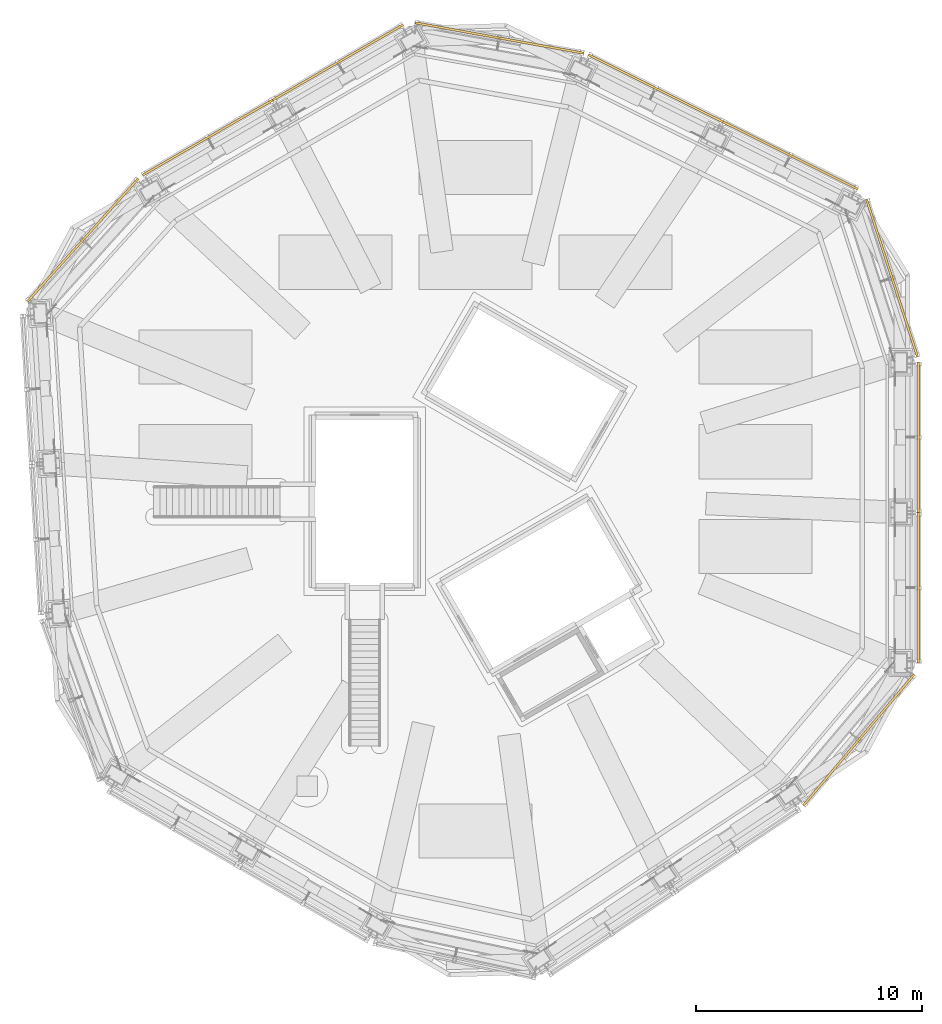
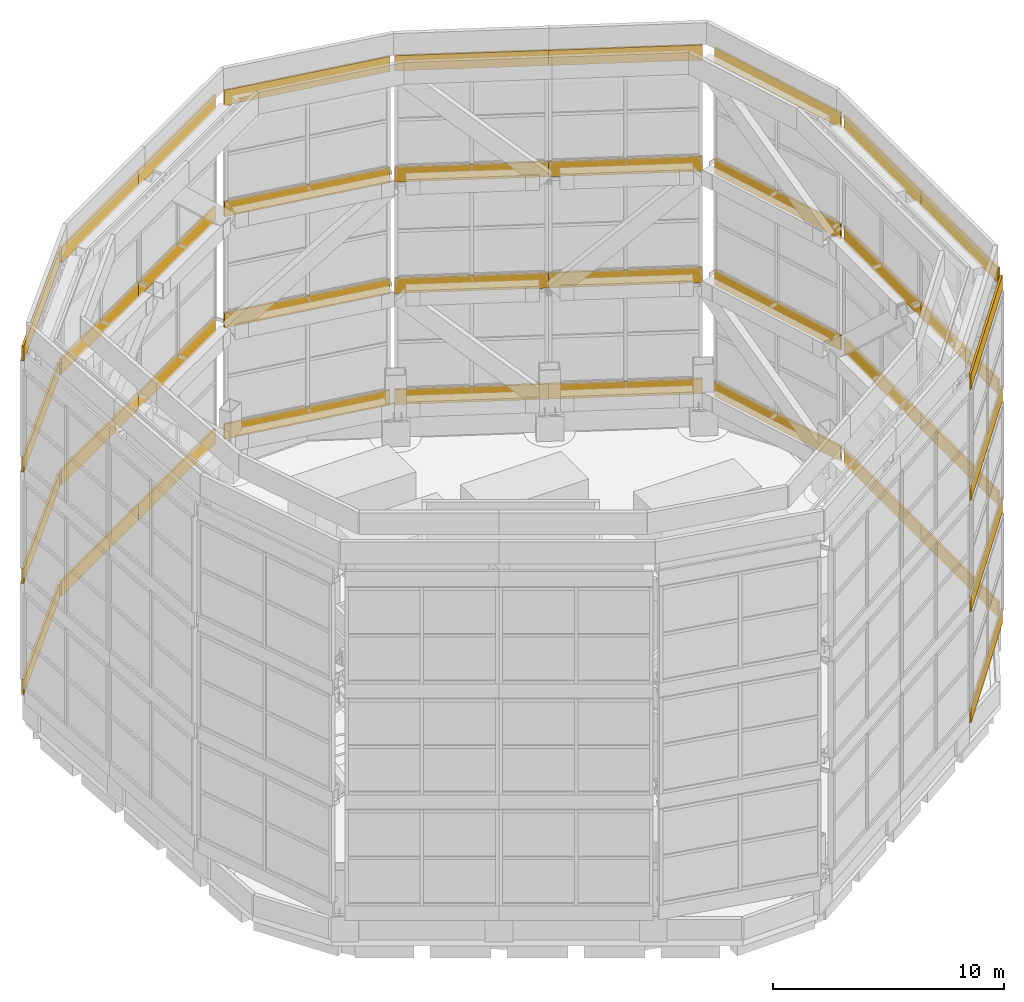
# One storey, part 45 of 46: 40 coverings.
"""IFC4 building model written with IfcOpenShell, lengths in metres."""

from ifc_helpers import new_model, si_unit, direction, frame, origin, origin_2d, place, context, subcontext, project, spatial, rectangle, extrude, material, layer, layer_set, type_object, element, save


model = new_model("IFC4")

# Units and contexts
model_context = context("Model", 3, precision=1e-05, world=origin(), true_north=direction((0.0, 1.0)))
body_context = subcontext(model_context, "Body", "Model", "MODEL_VIEW")
ifc_project = project(units=[si_unit("LENGTHUNIT", "METRE"), si_unit("AREAUNIT", "SQUARE_METRE"), si_unit("VOLUMEUNIT", "CUBIC_METRE"), si_unit("PLANEANGLEUNIT", "RADIAN"), si_unit("MASSUNIT", "GRAM", prefix="KILO")], contexts=[model_context])

# Site, building, storey
site_placement = place(None, origin())
site = spatial("IfcSite", under=ifc_project, at=site_placement, CompositionType="ELEMENT")
building_placement = place(site_placement, origin())
building = spatial("IfcBuilding", under=site, at=building_placement, Name="Vanh Sen Convention Tower", CompositionType="ELEMENT")
storey_placement = place(building_placement, frame((0.0, 0.0, 305.0)))
storey = spatial("IfcBuildingStorey", under=building, at=storey_placement, Name="Roof level", CompositionType="ELEMENT", Elevation=305.0)

# Coverings
ifc_material = material(Name="Concrete C50/60", Category="concrete")
ifc_layer = layer(ifc_material, 0.10009765625)
ifc_layer_set = layer_set([ifc_layer], Name="Concrete C50/60")
covering_type = type_object("IfcCoveringType", Name="Ring beam cladding 100", PredefinedType="CLADDING", material=ifc_layer_set)
for number, where, z_axis, x_axis, name in (
    (1, (19.574951171875, -4.215087890625, 1.34521484375), (0.0, 0.0, 1.0), (0.0, 1.0, 0.0), "Ring beam cladding 01 ring 1"),
    (2, (19.574951171875, -4.215087890625, 7.21337890625), (0.0, 0.0, 1.0), (0.0, 1.0, 0.0), "Ring beam cladding 01 ring 2"),
    (3, (19.574951171875, -4.215087890625, 13.08154296875), (0.0, 0.0, 1.0), (0.0, 1.0, 0.0), "Ring beam cladding 01 ring 3"),
    (4, (19.574951171875, -4.215087890625, 18.9501953125), (0.0, 0.0, 1.0), (0.0, 1.0, 0.0), "Ring beam cladding 01 ring 4"),
    (5, (19.574951171875, 2.4482421875, 1.34521484375), (0.0, 0.0, 1.0), (0.0, 1.0, 0.0), "Ring beam cladding 02 ring 1"),
    (6, (19.574951171875, 2.4482421875, 7.21337890625), (0.0, 0.0, 1.0), (0.0, 1.0, 0.0), "Ring beam cladding 02 ring 2"),
    (7, (19.574951171875, 2.4482421875, 13.08154296875), (0.0, 0.0, 1.0), (0.0, 1.0, 0.0), "Ring beam cladding 02 ring 3"),
    (8, (19.574951171875, 2.4482421875, 18.9501953125), (0.0, 0.0, 1.0), (0.0, 1.0, 0.0), "Ring beam cladding 02 ring 4"),
):
    element("IfcCovering", number, at=place(storey_placement, frame(where, z_axis=z_axis, x_axis=x_axis)), inside=storey, type_object=covering_type, Name=name, PredefinedType="CLADDING", context=body_context, shape_type="SweptSolid", body=[
        extrude(rectangle(XDim=6.663330078125, YDim=0.10009765625, at=origin_2d()), origin(), (0.0, 0.0, 1.0), 0.800048828125),
    ])
for number, where, z_axis, x_axis, name in (
    (9, (18.40869140625, 9.508056640625, 1.34521484375), (0.0, 0.0, 1.0), (-0.307733605607, 0.95147255766, 0.0), "Ring beam cladding 03 ring 1"),
    (10, (18.40869140625, 9.508056640625, 7.21337890625), (0.0, 0.0, 1.0), (-0.307733605607, 0.95147255766, 0.0), "Ring beam cladding 03 ring 2"),
    (11, (18.40869140625, 9.508056640625, 13.08154296875), (0.0, 0.0, 1.0), (-0.307733605607, 0.95147255766, 0.0), "Ring beam cladding 03 ring 3"),
    (12, (18.40869140625, 9.508056640625, 18.9501953125), (0.0, 0.0, 1.0), (-0.307733605607, 0.95147255766, 0.0), "Ring beam cladding 03 ring 4"),
):
    element("IfcCovering", number, at=place(storey_placement, frame(where, z_axis=z_axis, x_axis=x_axis)), inside=storey, type_object=covering_type, Name=name, PredefinedType="CLADDING", context=body_context, shape_type="SweptSolid", body=[
        extrude(rectangle(XDim=7.335205078125, YDim=0.10009765625, at=origin_2d()), origin(), (0.0, 0.0, 1.0), 0.800048828125),
    ])
for number, where, z_axis, x_axis, name in (
    (13, (13.906982421875, 14.939453125, 1.34521484375), (0.0, 0.0, 1.0), (-0.894931246532, 0.446204060919, 0.0), "Ring beam cladding 04 ring 1"),
    (14, (13.906982421875, 14.939453125, 7.21337890625), (0.0, 0.0, 1.0), (-0.894931246532, 0.446204060919, 0.0), "Ring beam cladding 04 ring 2"),
    (15, (13.906982421875, 14.939453125, 13.08154296875), (0.0, 0.0, 1.0), (-0.894931246532, 0.446204060919, 0.0), "Ring beam cladding 04 ring 3"),
    (16, (13.906982421875, 14.939453125, 18.9501953125), (0.0, 0.0, 1.0), (-0.894931246532, 0.446204060919, 0.0), "Ring beam cladding 04 ring 4"),
    (17, (7.943603515625, 17.91259765625, 1.34521484375), (0.0, 0.0, 1.0), (-0.894936697876, 0.446193127238, 0.0), "Ring beam cladding 05 ring 1"),
    (18, (7.943603515625, 17.91259765625, 7.21337890625), (0.0, 0.0, 1.0), (-0.894936697876, 0.446193127238, 0.0), "Ring beam cladding 05 ring 2"),
    (19, (7.943603515625, 17.91259765625, 13.08154296875), (0.0, 0.0, 1.0), (-0.894936697876, 0.446193127238, 0.0), "Ring beam cladding 05 ring 3"),
    (20, (7.943603515625, 17.91259765625, 18.9501953125), (0.0, 0.0, 1.0), (-0.894936697876, 0.446193127238, 0.0), "Ring beam cladding 05 ring 4"),
):
    element("IfcCovering", number, at=place(storey_placement, frame(where, z_axis=z_axis, x_axis=x_axis)), inside=storey, type_object=covering_type, Name=name, PredefinedType="CLADDING", context=body_context, shape_type="SweptSolid", body=[
        extrude(rectangle(XDim=6.663330078125, YDim=0.10009765625, at=origin_2d()), origin(), (0.0, 0.0, 1.0), 0.800048828125),
    ])
for number, where, z_axis, x_axis, name in (
    (21, (1.013671875, 20.142822265625, 1.34521484375), (0.0, 0.0, 1.0), (-0.984121654335, 0.177495266048, 0.0), "Ring beam cladding 06 ring 1"),
    (22, (1.013671875, 20.142822265625, 7.21337890625), (0.0, 0.0, 1.0), (-0.984121654335, 0.177495266048, 0.0), "Ring beam cladding 06 ring 2"),
    (23, (1.013671875, 20.142822265625, 13.08154296875), (0.0, 0.0, 1.0), (-0.984121654335, 0.177495266048, 0.0), "Ring beam cladding 06 ring 3"),
    (24, (1.013671875, 20.142822265625, 18.9501953125), (0.0, 0.0, 1.0), (-0.984121654335, 0.177495266048, 0.0), "Ring beam cladding 06 ring 4"),
):
    element("IfcCovering", number, at=place(storey_placement, frame(where, z_axis=z_axis, x_axis=x_axis)), inside=storey, type_object=covering_type, Name=name, PredefinedType="CLADDING", context=body_context, shape_type="SweptSolid", body=[
        extrude(rectangle(XDim=7.601318359375, YDim=0.10009765625, at=origin_2d()), origin(), (0.0, 0.0, 1.0), 0.800048828125),
    ])
for number, where, z_axis, x_axis, name in (
    (25, (-6.13720703125, 19.06005859375, 1.34521484375), (0.0, 0.0, 1.0), (-0.866022785779, -0.500004534492, 0.0), "Ring beam cladding 07 ring 1"),
    (26, (-6.13720703125, 19.06005859375, 7.21337890625), (0.0, 0.0, 1.0), (-0.866022785779, -0.500004534492, 0.0), "Ring beam cladding 07 ring 2"),
    (27, (-6.13720703125, 19.06005859375, 13.08154296875), (0.0, 0.0, 1.0), (-0.866022785779, -0.500004534492, 0.0), "Ring beam cladding 07 ring 3"),
    (28, (-6.13720703125, 19.06005859375, 18.9501953125), (0.0, 0.0, 1.0), (-0.866022785779, -0.500004534492, 0.0), "Ring beam cladding 07 ring 4"),
    (29, (-11.90771484375, 15.728271484375, 1.34521484375), (0.0, 0.0, 1.0), (-0.866022785779, -0.500004534492, 0.0), "Ring beam cladding 08 ring 1"),
    (30, (-11.90771484375, 15.728271484375, 7.21337890625), (0.0, 0.0, 1.0), (-0.866022785779, -0.500004534492, 0.0), "Ring beam cladding 08 ring 2"),
    (31, (-11.90771484375, 15.728271484375, 13.08154296875), (0.0, 0.0, 1.0), (-0.866022785779, -0.500004534492, 0.0), "Ring beam cladding 08 ring 3"),
    (32, (-11.90771484375, 15.728271484375, 18.9501953125), (0.0, 0.0, 1.0), (-0.866022785779, -0.500004534492, 0.0), "Ring beam cladding 08 ring 4"),
):
    element("IfcCovering", number, at=place(storey_placement, frame(where, z_axis=z_axis, x_axis=x_axis)), inside=storey, type_object=covering_type, Name=name, PredefinedType="CLADDING", context=body_context, shape_type="SweptSolid", body=[
        extrude(rectangle(XDim=6.663330078125, YDim=0.10009765625, at=origin_2d()), origin(), (0.0, 0.0, 1.0), 0.800048828125),
    ])
for number, where, z_axis, x_axis, name in (
    (33, (-17.438720703125, 11.1884765625, 1.34521484375), (0.0, 0.0, 1.0), (-0.670142966713, -0.742232041995, 0.0), "Ring beam cladding 09 ring 1"),
    (34, (-17.438720703125, 11.1884765625, 7.21337890625), (0.0, 0.0, 1.0), (-0.670142966713, -0.742232041995, 0.0), "Ring beam cladding 09 ring 2"),
    (35, (-17.438720703125, 11.1884765625, 13.08154296875), (0.0, 0.0, 1.0), (-0.670142966713, -0.742232041995, 0.0), "Ring beam cladding 09 ring 3"),
    (36, (-17.438720703125, 11.1884765625, 18.9501953125), (0.0, 0.0, 1.0), (-0.670142966713, -0.742232041995, 0.0), "Ring beam cladding 09 ring 4"),
):
    element("IfcCovering", number, at=place(storey_placement, frame(where, z_axis=z_axis, x_axis=x_axis)), inside=storey, type_object=covering_type, Name=name, PredefinedType="CLADDING", context=body_context, shape_type="SweptSolid", body=[
        extrude(rectangle(XDim=7.335205078125, YDim=0.10009765625, at=origin_2d()), origin(), (0.0, 0.0, 1.0), 0.800048828125),
    ])
for number, where, z_axis, x_axis, name in (
    (37, (16.9375, -10.94921875, 1.34521484375), (0.0, 0.0, 1.0), (0.64576690833, 0.763534609632, 0.0), "Ring beam cladding 18 ring 1"),
    (38, (16.9375, -10.94921875, 7.21337890625), (0.0, 0.0, 1.0), (0.64576690833, 0.763534609632, 0.0), "Ring beam cladding 18 ring 2"),
    (39, (16.9375, -10.94921875, 13.08154296875), (0.0, 0.0, 1.0), (0.64576690833, 0.763534609632, 0.0), "Ring beam cladding 18 ring 3"),
    (40, (16.9375, -10.94921875, 18.9501953125), (0.0, 0.0, 1.0), (0.64576690833, 0.763534609632, 0.0), "Ring beam cladding 18 ring 4"),
):
    element("IfcCovering", number, at=place(storey_placement, frame(where, z_axis=z_axis, x_axis=x_axis)), inside=storey, type_object=covering_type, Name=name, PredefinedType="CLADDING", context=body_context, shape_type="SweptSolid", body=[
        extrude(rectangle(XDim=7.601318359375, YDim=0.10009765625, at=origin_2d()), origin(), (0.0, 0.0, 1.0), 0.800048828125),
    ])

save(model, "model.ifc")
